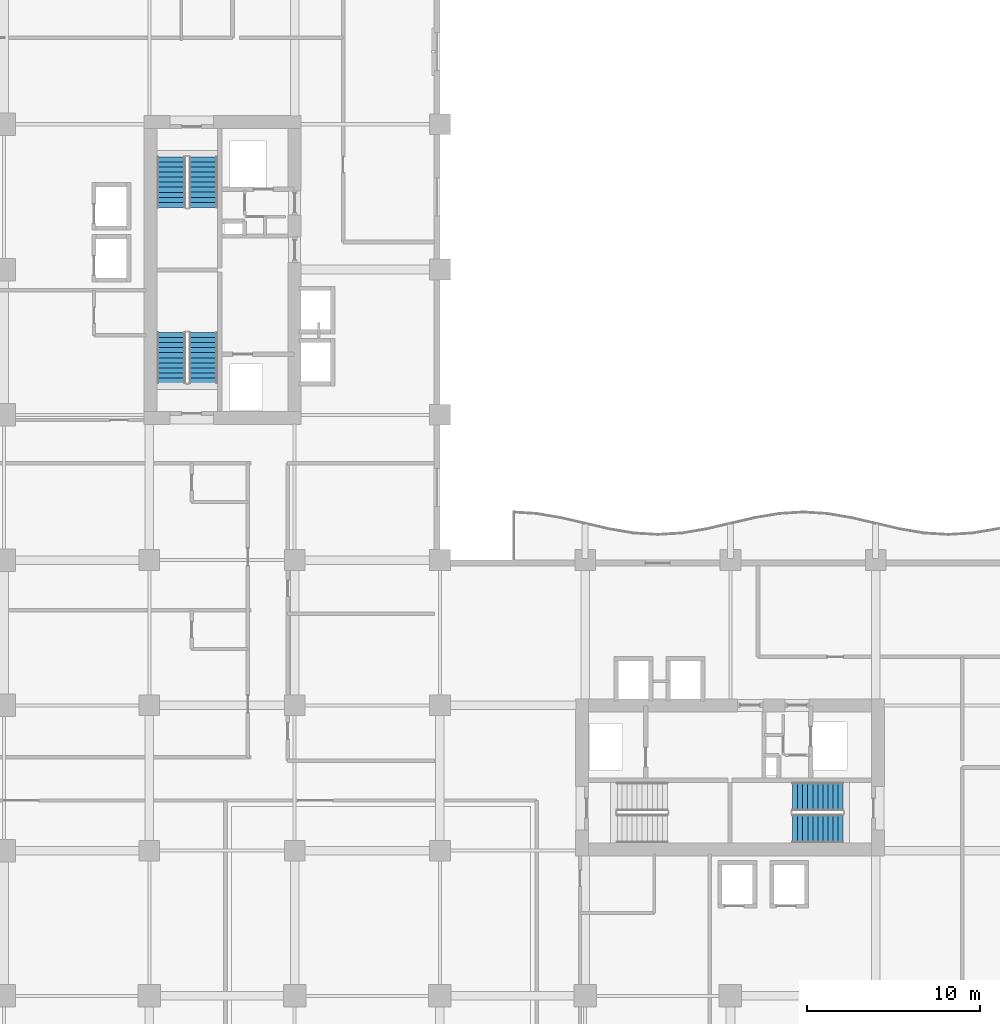
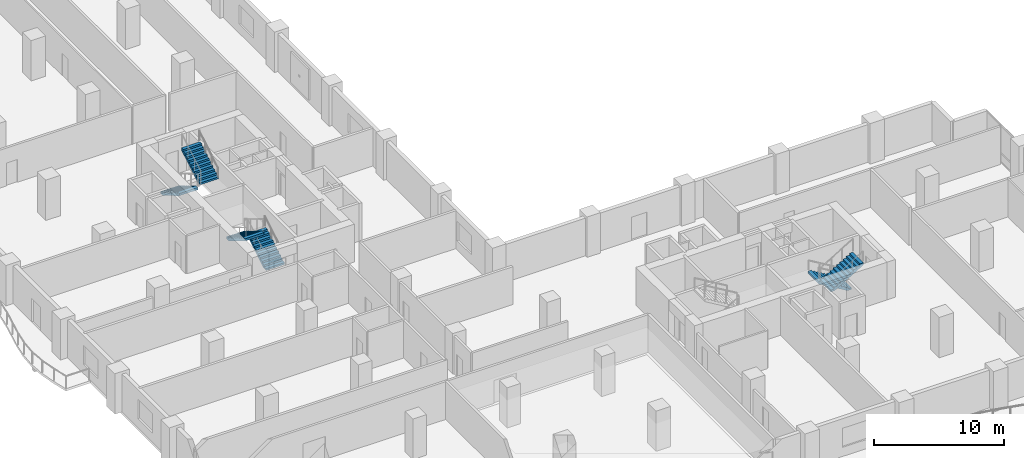
# One storey, part 17 of 23: 6 stair flights, 3 elements without a shape of their own.
"""IFC4 building model written with IfcOpenShell, lengths in metres."""

from ifc_helpers import new_model, si_unit, direction, frame, origin, place, context, subcontext, project, spatial, polyline, outline, extrude, material, type_object, element, aggregate, save


model = new_model("IFC4")

# Units and contexts
model_context = context("Model", 3, precision=1e-05, world=origin(), true_north=direction((0.0, 1.0)))
body_context = subcontext(model_context, "Body", "Model", "MODEL_VIEW")
ifc_project = project(units=[si_unit("LENGTHUNIT", "METRE"), si_unit("AREAUNIT", "SQUARE_METRE"), si_unit("VOLUMEUNIT", "CUBIC_METRE"), si_unit("PLANEANGLEUNIT", "RADIAN"), si_unit("MASSUNIT", "GRAM", prefix="KILO")], contexts=[model_context])

# Site, building, storey
site_placement = place(None, origin())
site = spatial("IfcSite", under=ifc_project, at=site_placement, CompositionType="ELEMENT")
building_placement = place(site_placement, origin())
building = spatial("IfcBuilding", under=site, at=building_placement, Name="Koriwani Terraces Tower", CompositionType="ELEMENT")
storey_placement = place(building_placement, frame((0.0, 0.0, 134.199951171875)))
storey = spatial("IfcBuildingStorey", under=building, at=storey_placement, Name="L32", CompositionType="ELEMENT", Elevation=134.199951171875)

# Stair, stair flights
ifc_material = material(Name="Concrete C40/50", Category="concrete")
stair_type = type_object("IfcStairType", Name="STAIR_CORE_DOGLEG_1650", PredefinedType="TWO_STRAIGHT_RUN_STAIR", material=ifc_material)
stair_1_placement = place(storey_placement, origin())
stair_1 = element("IfcStair", 1, at=stair_1_placement, inside=storey, type_object=stair_type, Name="L32 West Core Exit Stair 1", PredefinedType="HALF_TURN_STAIR")
stair_flight_type = type_object("IfcStairFlightType", Name="STAIR_FLIGHT_RC_1650", PredefinedType="STRAIGHT", material=ifc_material)
stair_flight_1_placement = place(storey_placement, frame((19.925048828125, 43.85009765625, 0.0), z_axis=(0.0, 0.0, 1.0), x_axis=(0.0, 1.0, 0.0)))
stair_flight_1 = element("IfcStairFlight", 2, at=stair_flight_1_placement, type_object=stair_flight_type, Name="ST-W1 flight 1", NumberOfRisers=11, NumberOfTreads=10, PredefinedType="STRAIGHT", RiserHeight=0.172727273, TreadLength=0.29, context=body_context, shape_type="SweptSolid", body=[
    extrude(outline(polyline([(0.0, 0.0), (0.0, 0.172607421875), (0.2900390625, 0.172607421875), (0.2900390625, 0.345458984375), (0.580078125, 0.345458984375), (0.580078125, 0.51806640625), (0.8701171875, 0.51806640625), (0.8701171875, 0.69091796875), (1.159912109375, 0.69091796875), (1.159912109375, 0.863525390625), (1.449951171875, 0.863525390625), (1.449951171875, 1.036376953125), (1.739990234375, 1.036376953125), (1.739990234375, 1.208984375), (2.030029296875, 1.208984375), (2.030029296875, 1.3818359375), (2.320068359375, 1.3818359375), (2.320068359375, 1.554443359375), (2.610107421875, 1.554443359375), (2.610107421875, 1.727294921875), (2.89990234375, 1.727294921875), (2.89990234375, 1.89990234375), (2.89990234375, 1.517822265625), (0.3515625, 0.0), (0.0, 0.0)])), frame((0.0, 0.824951171875, 0.0), z_axis=(0.0, -1.0, 0.0), x_axis=(1.0, 0.0, 0.0)), (0.0, 0.0, 1.0), 1.64990234375),
])
stair_flight_2_placement = place(storey_placement, frame((18.074951171875, 46.75, 1.900146484375), z_axis=(0.0, 0.0, 1.0), x_axis=(0.0, -1.0, 0.0)))
stair_flight_2 = element("IfcStairFlight", 3, at=stair_flight_2_placement, type_object=stair_flight_type, Name="ST-W1 flight 2", NumberOfRisers=11, NumberOfTreads=10, PredefinedType="STRAIGHT", RiserHeight=0.172727273, TreadLength=0.29, context=body_context, shape_type="SweptSolid", body=[
    extrude(outline(polyline([(0.0, 0.0), (0.0, 0.172607421875), (0.2900390625, 0.172607421875), (0.2900390625, 0.345458984375), (0.580078125, 0.345458984375), (0.580078125, 0.51806640625), (0.8701171875, 0.51806640625), (0.8701171875, 0.69091796875), (1.159912109375, 0.69091796875), (1.159912109375, 0.863525390625), (1.449951171875, 0.863525390625), (1.449951171875, 1.036376953125), (1.739990234375, 1.036376953125), (1.739990234375, 1.208984375), (2.030029296875, 1.208984375), (2.030029296875, 1.3818359375), (2.320068359375, 1.3818359375), (2.320068359375, 1.554443359375), (2.610107421875, 1.554443359375), (2.610107421875, 1.727294921875), (2.89990234375, 1.727294921875), (2.89990234375, 1.89990234375), (2.89990234375, 1.517822265625), (0.3515625, 0.0), (0.0, 0.0)])), frame((0.0, 0.824951171875, 0.0), z_axis=(0.0, -1.0, 0.0), x_axis=(1.0, 0.0, 0.0)), (0.0, 0.0, 1.0), 1.64990234375),
])
aggregate(stair_1, [stair_flight_1, stair_flight_2])

stair_2_placement = place(storey_placement, origin())
stair_2 = element("IfcStair", 4, at=stair_2_placement, inside=storey, type_object=stair_type, Name="L32 West Core Exit Stair 2", PredefinedType="HALF_TURN_STAIR")
stair_flight_3_placement = place(storey_placement, frame((18.074951171875, 56.89990234375, 0.0), z_axis=(0.0, 0.0, 1.0), x_axis=(0.0, -1.0, 0.0)))
stair_flight_3 = element("IfcStairFlight", 5, at=stair_flight_3_placement, type_object=stair_flight_type, Name="ST-W2 flight 1", NumberOfRisers=11, NumberOfTreads=10, PredefinedType="STRAIGHT", RiserHeight=0.172727273, TreadLength=0.29, context=body_context, shape_type="SweptSolid", body=[
    extrude(outline(polyline([(0.0, 0.0), (0.0, 0.172607421875), (0.2900390625, 0.172607421875), (0.2900390625, 0.345458984375), (0.580078125, 0.345458984375), (0.580078125, 0.51806640625), (0.8701171875, 0.51806640625), (0.8701171875, 0.69091796875), (1.159912109375, 0.69091796875), (1.159912109375, 0.863525390625), (1.449951171875, 0.863525390625), (1.449951171875, 1.036376953125), (1.739990234375, 1.036376953125), (1.739990234375, 1.208984375), (2.030029296875, 1.208984375), (2.030029296875, 1.3818359375), (2.320068359375, 1.3818359375), (2.320068359375, 1.554443359375), (2.610107421875, 1.554443359375), (2.610107421875, 1.727294921875), (2.89990234375, 1.727294921875), (2.89990234375, 1.89990234375), (2.89990234375, 1.517822265625), (0.3515625, 0.0), (0.0, 0.0)])), frame((0.0, 0.824951171875, 0.0), z_axis=(0.0, -1.0, 0.0), x_axis=(1.0, 0.0, 0.0)), (0.0, 0.0, 1.0), 1.64990234375),
])
stair_flight_4_placement = place(storey_placement, frame((19.925048828125, 54.0, 1.900146484375), z_axis=(0.0, 0.0, 1.0), x_axis=(0.0, 1.0, 0.0)))
stair_flight_4 = element("IfcStairFlight", 6, at=stair_flight_4_placement, type_object=stair_flight_type, Name="ST-W2 flight 2", NumberOfRisers=11, NumberOfTreads=10, PredefinedType="STRAIGHT", RiserHeight=0.172727273, TreadLength=0.29, context=body_context, shape_type="SweptSolid", body=[
    extrude(outline(polyline([(0.0, 0.0), (0.0, 0.172607421875), (0.2900390625, 0.172607421875), (0.2900390625, 0.345458984375), (0.580078125, 0.345458984375), (0.580078125, 0.51806640625), (0.8701171875, 0.51806640625), (0.8701171875, 0.69091796875), (1.159912109375, 0.69091796875), (1.159912109375, 0.863525390625), (1.449951171875, 0.863525390625), (1.449951171875, 1.036376953125), (1.739990234375, 1.036376953125), (1.739990234375, 1.208984375), (2.030029296875, 1.208984375), (2.030029296875, 1.3818359375), (2.320068359375, 1.3818359375), (2.320068359375, 1.554443359375), (2.610107421875, 1.554443359375), (2.610107421875, 1.727294921875), (2.89990234375, 1.727294921875), (2.89990234375, 1.89990234375), (2.89990234375, 1.517822265625), (0.3515625, 0.0), (0.0, 0.0)])), frame((0.0, 0.824951171875, 0.0), z_axis=(0.0, -1.0, 0.0), x_axis=(1.0, 0.0, 0.0)), (0.0, 0.0, 1.0), 1.64990234375),
])
aggregate(stair_2, [stair_flight_3, stair_flight_4])

stair_3_placement = place(storey_placement, origin())
stair_3 = element("IfcStair", 7, at=stair_3_placement, inside=storey, type_object=stair_type, Name="L32 East Core Exit Stair 2", PredefinedType="HALF_TURN_STAIR")
stair_flight_5_placement = place(storey_placement, frame((56.89990234375, 19.925048828125, 0.0), z_axis=(0.0, 0.0, 1.0), x_axis=(-1.0, 0.0, 0.0)))
stair_flight_5 = element("IfcStairFlight", 8, at=stair_flight_5_placement, type_object=stair_flight_type, Name="ST-E2 flight 1", NumberOfRisers=11, NumberOfTreads=10, PredefinedType="STRAIGHT", RiserHeight=0.172727273, TreadLength=0.29, context=body_context, shape_type="SweptSolid", body=[
    extrude(outline(polyline([(0.0, 0.0), (0.0, 0.172607421875), (0.2900390625, 0.172607421875), (0.2900390625, 0.345458984375), (0.580078125, 0.345458984375), (0.580078125, 0.51806640625), (0.8701171875, 0.51806640625), (0.8701171875, 0.69091796875), (1.159912109375, 0.69091796875), (1.159912109375, 0.863525390625), (1.449951171875, 0.863525390625), (1.449951171875, 1.036376953125), (1.739990234375, 1.036376953125), (1.739990234375, 1.208984375), (2.030029296875, 1.208984375), (2.030029296875, 1.3818359375), (2.320068359375, 1.3818359375), (2.320068359375, 1.554443359375), (2.610107421875, 1.554443359375), (2.610107421875, 1.727294921875), (2.89990234375, 1.727294921875), (2.89990234375, 1.89990234375), (2.89990234375, 1.517822265625), (0.3515625, 0.0), (0.0, 0.0)])), frame((0.0, 0.824951171875, 0.0), z_axis=(0.0, -1.0, 0.0), x_axis=(1.0, 0.0, 0.0)), (0.0, 0.0, 1.0), 1.64990234375),
])
stair_flight_6_placement = place(storey_placement, frame((54.0, 18.074951171875, 1.900146484375), z_axis=(0.0, 0.0, 1.0), x_axis=(1.0, 0.0, 0.0)))
stair_flight_6 = element("IfcStairFlight", 9, at=stair_flight_6_placement, type_object=stair_flight_type, Name="ST-E2 flight 2", NumberOfRisers=11, NumberOfTreads=10, PredefinedType="STRAIGHT", RiserHeight=0.172727273, TreadLength=0.29, context=body_context, shape_type="SweptSolid", body=[
    extrude(outline(polyline([(0.0, 0.0), (0.0, 0.172607421875), (0.2900390625, 0.172607421875), (0.2900390625, 0.345458984375), (0.580078125, 0.345458984375), (0.580078125, 0.51806640625), (0.8701171875, 0.51806640625), (0.8701171875, 0.69091796875), (1.159912109375, 0.69091796875), (1.159912109375, 0.863525390625), (1.449951171875, 0.863525390625), (1.449951171875, 1.036376953125), (1.739990234375, 1.036376953125), (1.739990234375, 1.208984375), (2.030029296875, 1.208984375), (2.030029296875, 1.3818359375), (2.320068359375, 1.3818359375), (2.320068359375, 1.554443359375), (2.610107421875, 1.554443359375), (2.610107421875, 1.727294921875), (2.89990234375, 1.727294921875), (2.89990234375, 1.89990234375), (2.89990234375, 1.517822265625), (0.3515625, 0.0), (0.0, 0.0)])), frame((0.0, 0.824951171875, 0.0), z_axis=(0.0, -1.0, 0.0), x_axis=(1.0, 0.0, 0.0)), (0.0, 0.0, 1.0), 1.64990234375),
])
aggregate(stair_3, [stair_flight_5, stair_flight_6])

save(model, "model.ifc")
